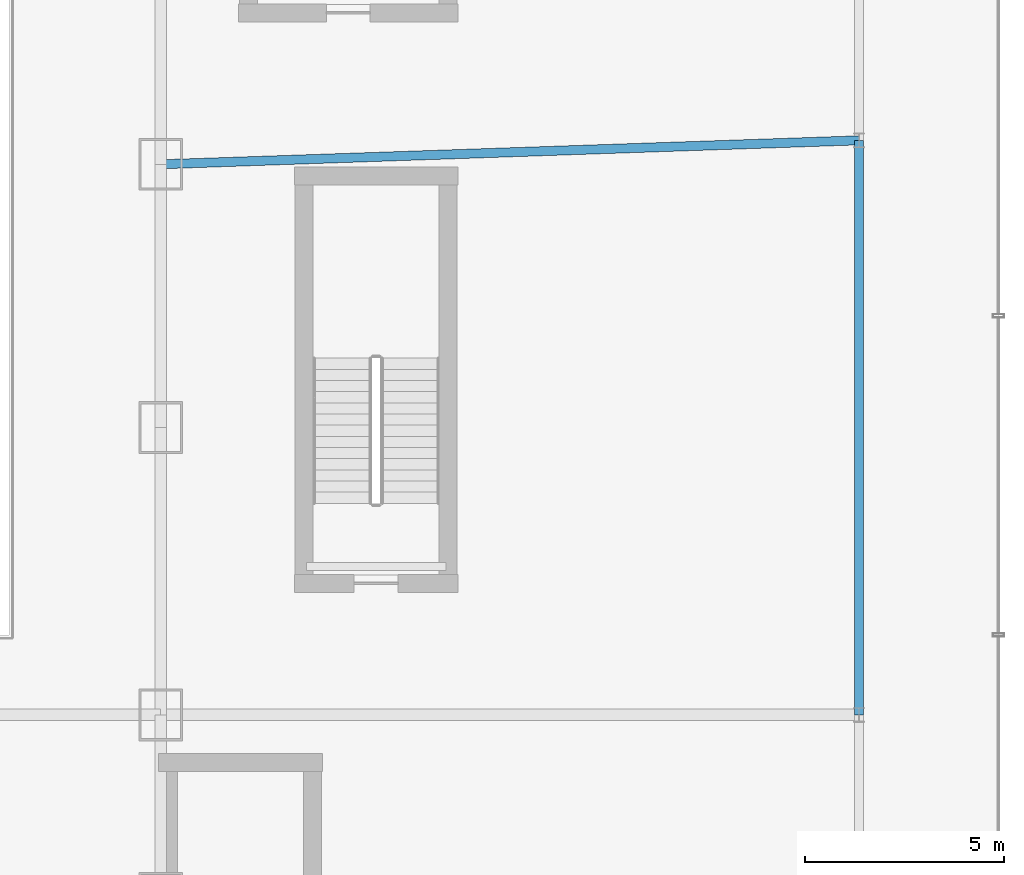
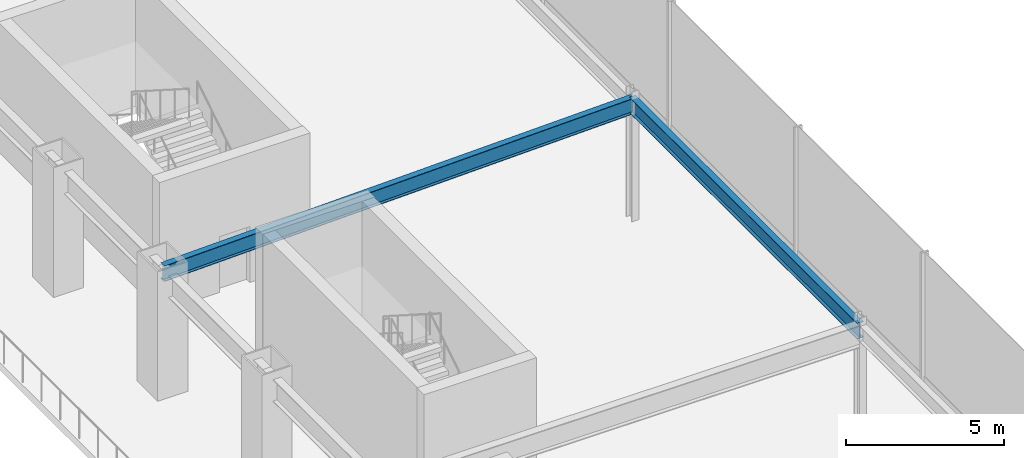
# One storey, part 22 of 39: 2 beams.
"""IFC4 building model written with IfcOpenShell, lengths in metres."""

from ifc_helpers import new_model, si_unit, derived_unit, direction, frame, origin, origin_2d, place, context, subcontext, project, spatial, i_section, extrude, source, transform, mapped, material, material_profile, profile_set, type_object, element, save


model = new_model("IFC4")

# Units and contexts
model_context = context("Model", 3, precision=1e-05, world=origin(), true_north=direction((0.0, 1.0)))
body_context = subcontext(model_context, "Body", "Model", "MODEL_VIEW")
ifc_project = project(units=[si_unit("LENGTHUNIT", "METRE"), si_unit("AREAUNIT", "SQUARE_METRE"), si_unit("VOLUMEUNIT", "CUBIC_METRE"), si_unit("PLANEANGLEUNIT", "RADIAN"), si_unit("MASSUNIT", "GRAM", prefix="KILO"), derived_unit("THERMALTRANSMITTANCEUNIT", [(si_unit("POWERUNIT", "WATT"), 1), (si_unit("LENGTHUNIT", "METRE"), -2), (si_unit("THERMODYNAMICTEMPERATUREUNIT", "KELVIN"), -1)])], contexts=[model_context])

# Site, building, storey
site_placement = place(None, origin())
site = spatial("IfcSite", under=ifc_project, at=site_placement, CompositionType="ELEMENT")
building_placement = place(site_placement, origin())
building = spatial("IfcBuilding", under=site, at=building_placement, Name="Skarnbrae Concourse Arena and Tower", CompositionType="ELEMENT")
storey_placement = place(building_placement, frame((0.0, 0.0, 16.0)))
storey = spatial("IfcBuildingStorey", under=building, at=storey_placement, Name="L03", CompositionType="ELEMENT", Elevation=16.0)

# Beams
ifc_material = material(Name="Steel CSA G40.21 350W", Category="steel")
ifc_material_profile = material_profile(ifc_material, i_section(OverallWidth=0.22802734375, OverallDepth=0.60791015625, WebThickness=0.01123046875, FlangeThickness=0.017333984375, at=origin_2d()), Name="W610X113")
ifc_profile_set = profile_set([ifc_material_profile], Name="Steel CSA G40.21 350W")
beam_type = type_object("IfcBeamType", Name="BM-GIRD-W610X113", PredefinedType="BEAM", material=ifc_profile_set)
shared_shape_1 = source(origin(), body_context, "Body", "SweptSolid", [
    extrude(i_section(OverallWidth=0.22802734375, OverallDepth=0.60791015625, WebThickness=0.01123046875, FlangeThickness=0.017333984375, at=origin_2d()), origin(), (0.0, 0.0, 1.0), 14.39990234375),
])
beam_1_placement = place(storey_placement, frame((78.5, 14.0, 4.39599609375), z_axis=(0.0, 1.0, 0.0), x_axis=(-1.0, 0.0, 0.0)))
element("IfcBeam", 1, at=beam_1_placement, inside=storey, type_object=beam_type, Name="L03 Podium outer east girder 2", PredefinedType="BEAM", context=body_context, shape_type="MappedRepresentation", body=[
    mapped(shared_shape_1, transform((0.0, 0.0, 0.0))),
])
shared_shape_2 = source(origin(), body_context, "Body", "SweptSolid", [
    extrude(i_section(OverallWidth=0.22802734375, OverallDepth=0.60791015625, WebThickness=0.01123046875, FlangeThickness=0.017333984375, at=origin_2d()), origin(), (0.0, 0.0, 1.0), 17.51025390625),
])
beam_2_placement = place(storey_placement, frame((61.0, 27.800048828125, 4.39599609375), z_axis=(0.999413049025, 0.03425722463, 0.0), x_axis=(-0.03425722463, 0.999413049025, 0.0)))
element("IfcBeam", 2, at=beam_2_placement, inside=storey, type_object=beam_type, Name="L03 East concourse tie girder", PredefinedType="BEAM", context=body_context, shape_type="MappedRepresentation", body=[
    mapped(shared_shape_2, transform((0.0, 0.0, 0.0))),
])

save(model, "model.ifc")
